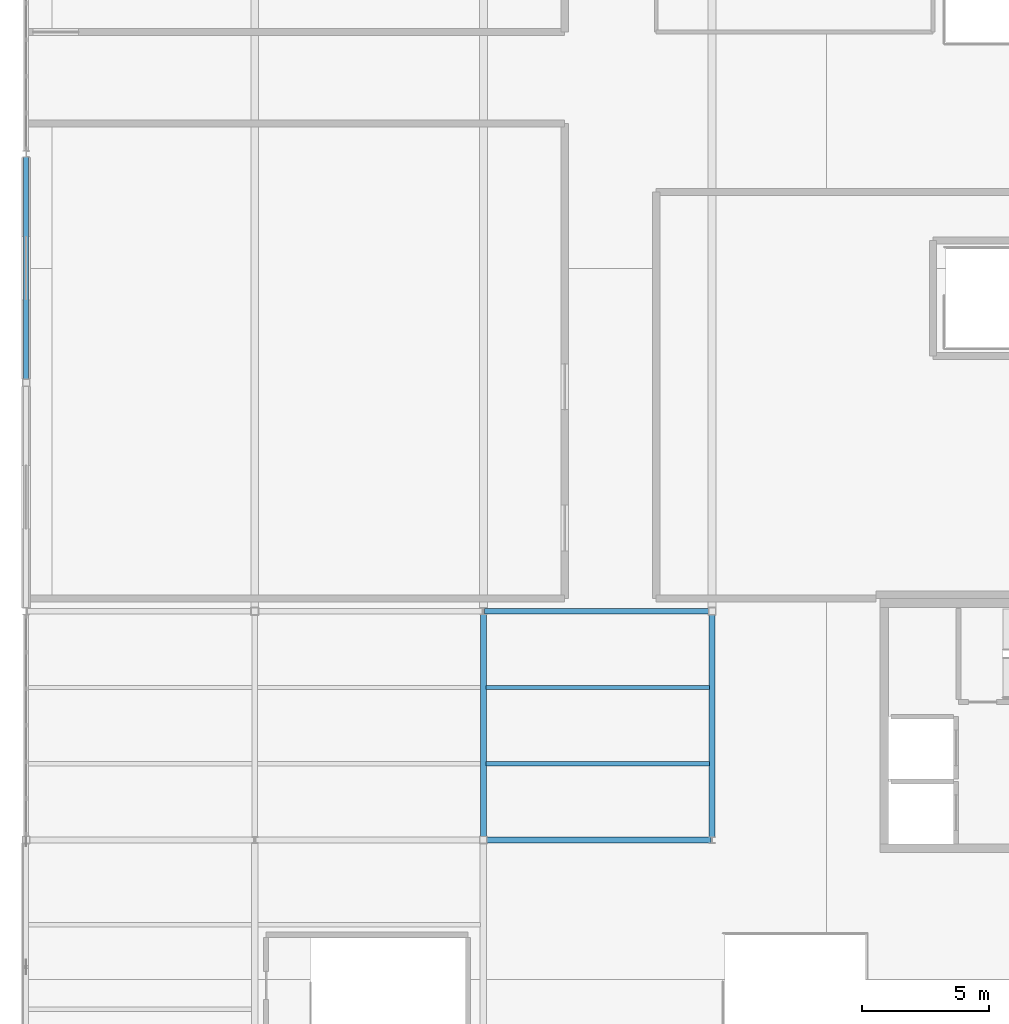
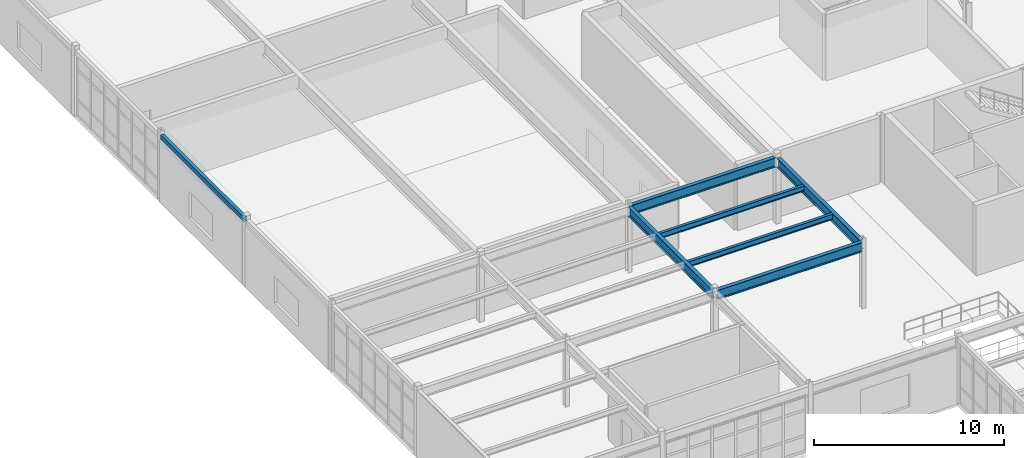
# One storey, part 28 of 81: 7 beams.
"""IFC4 building model written with IfcOpenShell, lengths in metres."""

from ifc_helpers import new_model, si_unit, direction, frame, origin, origin_2d, place, context, subcontext, project, spatial, hollow_rectangle, i_section, extrude, material, material_profile, profile_set, type_object, element, save


model = new_model("IFC4")

# Units and contexts
model_context = context("Model", 3, precision=1e-05, world=origin(), true_north=direction((0.0, 1.0)))
body_context = subcontext(model_context, "Body", "Model", "MODEL_VIEW")
ifc_project = project(units=[si_unit("LENGTHUNIT", "METRE"), si_unit("AREAUNIT", "SQUARE_METRE"), si_unit("VOLUMEUNIT", "CUBIC_METRE"), si_unit("PLANEANGLEUNIT", "RADIAN"), si_unit("MASSUNIT", "GRAM", prefix="KILO")], contexts=[model_context])

# Site, building, storey
site_placement = place(None, origin())
site = spatial("IfcSite", under=ifc_project, at=site_placement, CompositionType="ELEMENT")
building_placement = place(site_placement, origin())
building = spatial("IfcBuilding", under=site, at=building_placement, Name="Glasvene Arena", CompositionType="ELEMENT")
storey_placement = place(building_placement, frame((0.0, 0.0, 15.0)))
storey = spatial("IfcBuildingStorey", under=building, at=storey_placement, Name="L03", CompositionType="ELEMENT", Elevation=15.0)

# Beams
ifc_material = material(Name="Steel S355J2", Category="steel")
ifc_material_profile_1 = material_profile(ifc_material, i_section(OverallWidth=0.228271484375, OverallDepth=0.607666015625, WebThickness=0.010986328125, FlangeThickness=0.017333984375, FilletRadius=0.0126953125, at=origin_2d()), Name="UKB 610x229x113")
ifc_profile_set_1 = profile_set([ifc_material_profile_1], Name="Steel S355J2")
beam_type_1 = type_object("IfcBeamType", Name="BM-GIRD-610", PredefinedType="BEAM", material=ifc_profile_set_1)
for number, where, z_axis, x_axis, name in (
    (1, (18.14501953125, 64.0, 3.9462890625), (1.0, 0.0, 0.0), (0.0, 1.0, 0.0), "Primary X girder L03-0948"),
    (2, (18.050048828125, 73.0, 3.9462890625), (1.0, 0.0, 0.0), (0.0, 1.0, 0.0), "Primary X girder L03-0951"),
):
    element("IfcBeam", number, at=place(storey_placement, frame(where, z_axis=z_axis, x_axis=x_axis)), inside=storey, type_object=beam_type_1, Name=name, PredefinedType="BEAM", context=body_context, shape_type="SweptSolid", body=[
        extrude(i_section(OverallWidth=0.228271484375, OverallDepth=0.607666015625, WebThickness=0.010986328125, FlangeThickness=0.017333984375, FilletRadius=0.0126953125, at=origin_2d()), origin(), (0.0, 0.0, 1.0), 8.804931640625),
    ])
for number, where, z_axis, x_axis, name in (
    (3, (18.0, 64.14501953125, 3.9462890625), (0.0, 1.0, 0.0), (-1.0, 0.0, 0.0), "Primary Y girder L03-0974"),
    (4, (27.0, 64.125244140625, 3.9462890625), (0.0, 1.0, 0.0), (-1.0, 0.0, 0.0), "Primary Y girder L03-0979"),
):
    element("IfcBeam", number, at=place(storey_placement, frame(where, z_axis=z_axis, x_axis=x_axis)), inside=storey, type_object=beam_type_1, Name=name, PredefinedType="BEAM", context=body_context, shape_type="SweptSolid", body=[
        extrude(i_section(OverallWidth=0.228271484375, OverallDepth=0.607666015625, WebThickness=0.010986328125, FlangeThickness=0.017333984375, FilletRadius=0.0126953125, at=origin_2d()), origin(), (0.0, 0.0, 1.0), 8.729736328125),
    ])
ifc_material_profile_2 = material_profile(ifc_material, i_section(OverallWidth=0.17138671875, OverallDepth=0.35498046875, WebThickness=0.00732421875, FlangeThickness=0.011474609375, FilletRadius=0.01025390625, at=origin_2d()), Name="UKB 356x171x51")
ifc_profile_set_2 = profile_set([ifc_material_profile_2], Name="Steel S355J2")
beam_type_2 = type_object("IfcBeamType", Name="BM-JOIST-356", PredefinedType="JOIST", material=ifc_profile_set_2)
for number, where, z_axis, x_axis, name in (
    (5, (18.110107421875, 67.0, 4.072509765625), (1.0, 0.0, 0.0), (0.0, 1.0, 0.0), "Composite floor joist L03-0997"),
    (6, (18.110107421875, 70.0, 4.072509765625), (1.0, 0.0, 0.0), (0.0, 1.0, 0.0), "Composite floor joist L03-0998"),
):
    element("IfcBeam", number, at=place(storey_placement, frame(where, z_axis=z_axis, x_axis=x_axis)), inside=storey, type_object=beam_type_2, Name=name, PredefinedType="JOIST", context=body_context, shape_type="SweptSolid", body=[
        extrude(i_section(OverallWidth=0.17138671875, OverallDepth=0.35498046875, WebThickness=0.00732421875, FlangeThickness=0.011474609375, FilletRadius=0.01025390625, at=origin_2d()), origin(), (0.0, 0.0, 1.0), 8.77978515625),
    ])
ifc_material_profile_3 = material_profile(ifc_material, hollow_rectangle(XDim=0.199951171875, YDim=0.300048828125, WallThickness=0.012451171875, at=origin_2d()), Name="RHS 300x200x12.5")
ifc_profile_set_3 = profile_set([ifc_material_profile_3], Name="Steel S355J2")
beam_type_3 = type_object("IfcBeamType", Name="BM-SPAND-300", PredefinedType="SPANDREL", material=ifc_profile_set_3)
beam_placement = place(storey_placement, frame((0.0, 82.14501953125, 4.10009765625), z_axis=(0.0, 1.0, 0.0), x_axis=(-1.0, 0.0, 0.0)))
element("IfcBeam", 7, at=beam_placement, inside=storey, type_object=beam_type_3, Name="Primary Y girder L03-0965", PredefinedType="SPANDREL", context=body_context, shape_type="SweptSolid", body=[
    extrude(hollow_rectangle(XDim=0.199951171875, YDim=0.300048828125, WallThickness=0.012451171875, at=origin_2d()), origin(), (0.0, 0.0, 1.0), 8.729736328125),
])

save(model, "model.ifc")
